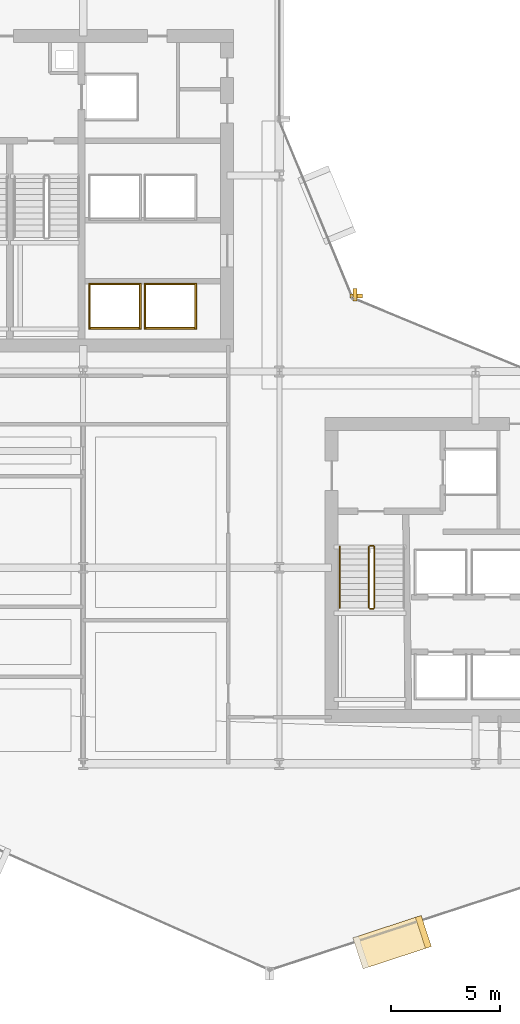
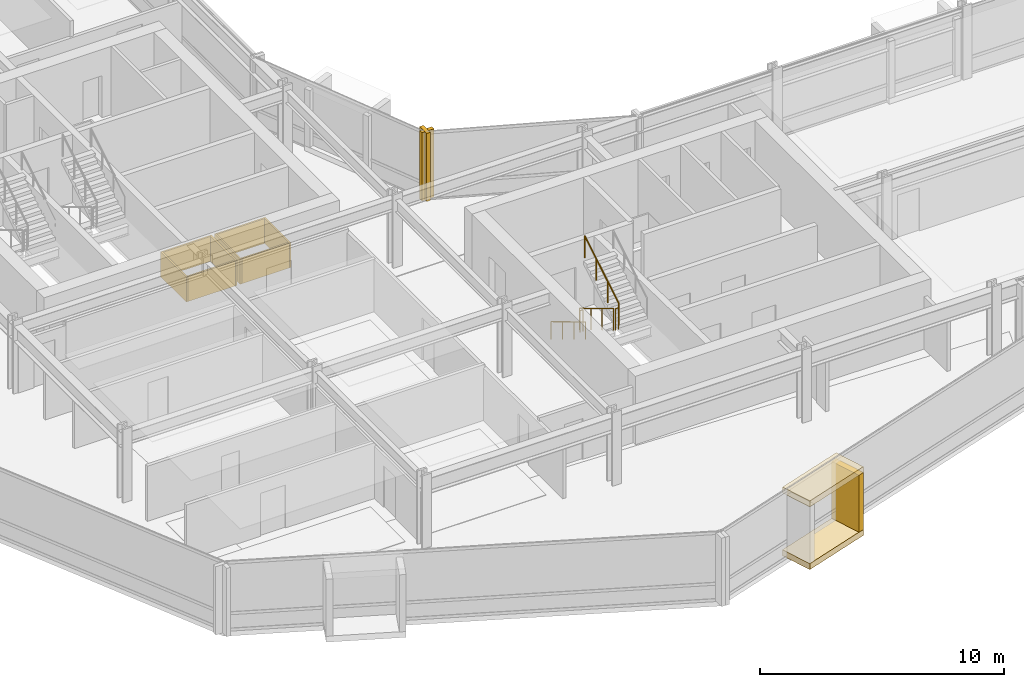
# One storey, part 31 of 34: 13 coverings, 5 railings.
"""IFC4 building model written with IfcOpenShell, lengths in metres."""

from ifc_helpers import new_model, si_unit, direction, frame, origin, origin_2d, place, context, subcontext, project, spatial, rectangle, circle, extrude, material, layer, layer_set, type_object, element, save


model = new_model("IFC4")

# Units and contexts
model_context = context("Model", 3, precision=1e-05, world=origin(), true_north=direction((0.0, 1.0)))
body_context = subcontext(model_context, "Body", "Model", "MODEL_VIEW")
ifc_project = project(units=[si_unit("LENGTHUNIT", "METRE"), si_unit("AREAUNIT", "SQUARE_METRE"), si_unit("VOLUMEUNIT", "CUBIC_METRE"), si_unit("PLANEANGLEUNIT", "RADIAN"), si_unit("MASSUNIT", "GRAM", prefix="KILO")], contexts=[model_context])

# Site, building, storey
site_placement = place(None, origin())
site = spatial("IfcSite", under=ifc_project, at=site_placement, CompositionType="ELEMENT")
building_placement = place(site_placement, origin())
building = spatial("IfcBuilding", under=site, at=building_placement, Name="Solvaryn Broadcast Tower", CompositionType="ELEMENT")
storey_placement = place(building_placement, frame((0.0, 0.0, 61.89990234375)))
storey = spatial("IfcBuildingStorey", under=building, at=storey_placement, Name="L14", CompositionType="ELEMENT", Elevation=61.89990234375)

# Coverings
ifc_material_1 = material(Name="Fire-Rated Gypsum Shaftwall Liner", Category="concrete")
ifc_layer_1 = layer(ifc_material_1, 0.080078125)
ifc_layer_set_1 = layer_set([ifc_layer_1], Name="CV-SHAFT-LINER")
covering_type_1 = type_object("IfcCoveringType", Name="CV-SHAFT-LINER", PredefinedType="CLADDING", material=ifc_layer_set_1)
for number, where, z_axis, x_axis, name in (
    (1, (19.449951171875, 31.014892578125, 0.0), (0.0, 0.0, 1.0), (1.0, 0.0, 0.0), "L14 PH1 Hoistway Shaft Liner North"),
    (2, (19.449951171875, 28.985107421875, 0.0), (0.0, 0.0, 1.0), (1.0, 0.0, 0.0), "L14 PH1 Hoistway Shaft Liner South"),
):
    element("IfcCovering", number, at=place(storey_placement, frame(where, z_axis=z_axis, x_axis=x_axis)), inside=storey, type_object=covering_type_1, Name=name, PredefinedType="CLADDING", context=body_context, shape_type="SweptSolid", body=[
        extrude(rectangle(XDim=2.409912109375, YDim=0.080078125, at=origin_2d()), origin(), (0.0, 0.0, 1.0), 1.25),
    ])
for number, where, z_axis, x_axis, name in (
    (3, (20.614990234375, 30.0, 0.0), (0.0, 0.0, 1.0), (1.0, 0.0, 0.0), "L14 PH1 Hoistway Shaft Liner East"),
    (4, (18.284912109375, 30.0, 0.0), (0.0, 0.0, 1.0), (1.0, 0.0, 0.0), "L14 PH1 Hoistway Shaft Liner West"),
):
    element("IfcCovering", number, at=place(storey_placement, frame(where, z_axis=z_axis, x_axis=x_axis)), inside=storey, type_object=covering_type_1, Name=name, PredefinedType="CLADDING", context=body_context, shape_type="SweptSolid", body=[
        extrude(rectangle(XDim=0.080078125, YDim=2.110107421875, at=origin_2d()), origin(), (0.0, 0.0, 1.0), 1.25),
    ])
for number, where, z_axis, x_axis, name in (
    (5, (22.0, 31.014892578125, 0.0), (0.0, 0.0, 1.0), (1.0, 0.0, 0.0), "L14 PH2 Hoistway Shaft Liner North"),
    (6, (22.0, 28.985107421875, 0.0), (0.0, 0.0, 1.0), (1.0, 0.0, 0.0), "L14 PH2 Hoistway Shaft Liner South"),
):
    element("IfcCovering", number, at=place(storey_placement, frame(where, z_axis=z_axis, x_axis=x_axis)), inside=storey, type_object=covering_type_1, Name=name, PredefinedType="CLADDING", context=body_context, shape_type="SweptSolid", body=[
        extrude(rectangle(XDim=2.409912109375, YDim=0.080078125, at=origin_2d()), origin(), (0.0, 0.0, 1.0), 1.25),
    ])
for number, where, z_axis, x_axis, name in (
    (7, (23.1650390625, 30.0, 0.0), (0.0, 0.0, 1.0), (1.0, 0.0, 0.0), "L14 PH2 Hoistway Shaft Liner East"),
    (8, (20.8349609375, 30.0, 0.0), (0.0, 0.0, 1.0), (1.0, 0.0, 0.0), "L14 PH2 Hoistway Shaft Liner West"),
):
    element("IfcCovering", number, at=place(storey_placement, frame(where, z_axis=z_axis, x_axis=x_axis)), inside=storey, type_object=covering_type_1, Name=name, PredefinedType="CLADDING", context=body_context, shape_type="SweptSolid", body=[
        extrude(rectangle(XDim=0.080078125, YDim=2.110107421875, at=origin_2d()), origin(), (0.0, 0.0, 1.0), 1.25),
    ])
ifc_material_2 = material(Name="Glazed Architectural Terracotta Rainscreen Cladding", Category="masonry")
ifc_layer_2 = layer(ifc_material_2, 0.280029296875)
ifc_layer_set_2 = layer_set([ifc_layer_2], Name="CV-TC-CLAD")
covering_type_2 = type_object("IfcCoveringType", Name="CV-TC-CLAD", PredefinedType="CLADDING", material=ifc_layer_set_2)
for number, where, z_axis, x_axis, name in (
    (9, (32.173095703125, 0.819091796875, 3.1298828125), (0.0, 0.0, 1.0), (0.950189870912, 0.311671636848, 0.0), "L14 Projecting Stone Window Box Hood 4"),
    (10, (32.173095703125, 0.819091796875, -0.009765625), (0.0, 0.0, 1.0), (0.950189870912, 0.311671636848, 0.0), "L14 Projecting Stone Window Box Sill 4"),
):
    element("IfcCovering", number, at=place(storey_placement, frame(where, z_axis=z_axis, x_axis=x_axis)), inside=storey, type_object=covering_type_2, Name=name, PredefinedType="CLADDING", context=body_context, shape_type="SweptSolid", body=[
        extrude(rectangle(XDim=3.300048828125, YDim=1.5, at=origin_2d()), origin(), (0.0, 0.0, 1.0), 0.300048828125),
    ])
covering_1_placement = place(storey_placement, frame((33.60791015625, 1.28955078125, 0.2802734375), z_axis=(0.0, 0.0, 1.0), x_axis=(0.950189870912, 0.311671636848, 0.0)))
element("IfcCovering", 11, at=covering_1_placement, inside=storey, type_object=covering_type_2, Name="L14 Projecting Stone Window Box Cheek 4-2", PredefinedType="CLADDING", context=body_context, shape_type="SweptSolid", body=[
    extrude(rectangle(XDim=0.280029296875, YDim=1.5, at=origin_2d()), origin(), (0.0, 0.0, 1.0), 2.860107421875),
])
ifc_material_3 = material(Name="Extruded Architectural Terracotta Fin", Category="masonry")
ifc_layer_3 = layer(ifc_material_3, 0.179931640625)
ifc_layer_set_3 = layer_set([ifc_layer_3], Name="CV-TC-FIN")
covering_type_3 = type_object("IfcCoveringType", Name="CV-TC-FIN", PredefinedType="USERDEFINED", material=ifc_layer_set_3)
covering_2_placement = place(storey_placement, frame((30.464599609375, 30.52294921875, 0.000244140625), z_axis=(0.0, 0.0, 1.0), x_axis=(1.0, 0.0, 0.0)))
element("IfcCovering", 12, at=covering_2_placement, inside=storey, type_object=covering_type_3, Name="L14 Terracotta Vertical Fin FIN-L14-CN1-M01", ObjectType="FIN", PredefinedType="USERDEFINED", context=body_context, shape_type="SweptSolid", body=[
    extrude(rectangle(XDim=0.179931640625, YDim=0.580078125, at=origin_2d()), origin(), (0.0, 0.0, 1.0), 3.419921875),
])
covering_3_placement = place(storey_placement, frame((30.52294921875, 30.464599609375, 0.000244140625), z_axis=(0.0, 0.0, 1.0), x_axis=(1.0, 0.0, 0.0)))
element("IfcCovering", 13, at=covering_3_placement, inside=storey, type_object=covering_type_3, Name="L14 Terracotta Vertical Fin FIN-L14-CN2-M00", ObjectType="FIN", PredefinedType="USERDEFINED", context=body_context, shape_type="SweptSolid", body=[
    extrude(rectangle(XDim=0.580078125, YDim=0.179931640625, at=origin_2d()), origin(), (0.0, 0.0, 1.0), 3.419921875),
])

# Railings
ifc_material_4 = material(Name="Painted Steel Stair Well Guard", Category="steel")
railing_type_1 = type_object("IfcRailingType", Name="RL-STAIR-GUARD", PredefinedType="BALUSTRADE", material=ifc_material_4)
railing_1_placement = place(storey_placement, frame((31.110107421875, 18.9599609375, 0.168212890625)))
element("IfcRailing", 14, at=railing_1_placement, inside=storey, type_object=railing_type_1, Name="L14 ST3 stair guard 1", PredefinedType="BALUSTRADE", context=body_context, shape_type="SweptSolid", body=[
    extrude(circle(Radius=0.02392578125, at=origin_2d()), frame((0.0, 0.0, 1.076171875), z_axis=(0.0, -0.857242210791, 0.514913383045), x_axis=(1.0, 0.0, 0.0)), (0.0, 0.0, 1.0), 3.266357421875),
    extrude(circle(Radius=0.02099609375, at=origin_2d()), origin(), (0.0, 0.0, 1.0), 1.052001953125),
    extrude(circle(Radius=0.02099609375, at=origin_2d()), frame((0.0, -0.933349609375, 0.560546875)), (0.0, 0.0, 1.0), 1.052001953125),
    extrude(circle(Radius=0.02099609375, at=origin_2d()), frame((0.0, -1.86669921875, 1.121337890625)), (0.0, 0.0, 1.0), 1.052001953125),
    extrude(circle(Radius=0.02099609375, at=origin_2d()), frame((0.0, -2.800048828125, 1.681884765625)), (0.0, 0.0, 1.0), 1.052001953125),
])
railing_2_placement = place(storey_placement, frame((31.159912109375, 16.110107421875, 1.85009765625)))
element("IfcRailing", 15, at=railing_2_placement, inside=storey, type_object=railing_type_1, Name="L14 ST3 stair guard 2", PredefinedType="BALUSTRADE", context=body_context, shape_type="SweptSolid", body=[
    extrude(circle(Radius=0.02392578125, at=origin_2d()), frame((0.0, 0.0, 1.076171875), z_axis=(1.0, 0.0, 0.0), x_axis=(0.0, 1.0, 0.0)), (0.0, 0.0, 1.0), 0.150146484375),
    extrude(circle(Radius=0.02099609375, at=origin_2d()), origin(), (0.0, 0.0, 1.0), 1.052001953125),
    extrude(circle(Radius=0.02099609375, at=origin_2d()), frame((0.150146484375, 0.0, 0.0)), (0.0, 0.0, 1.0), 1.052001953125),
])
railing_3_placement = place(storey_placement, frame((31.360107421875, 16.159912109375, 2.018310546875)))
element("IfcRailing", 16, at=railing_3_placement, inside=storey, type_object=railing_type_1, Name="L14 ST3 stair guard 3", PredefinedType="BALUSTRADE", context=body_context, shape_type="SweptSolid", body=[
    extrude(circle(Radius=0.02392578125, at=origin_2d()), frame((0.0, 0.0, 1.076171875), z_axis=(0.0, 0.857242210791, 0.514913383045), x_axis=(-1.0, 0.0, 0.0)), (0.0, 0.0, 1.0), 3.266357421875),
    extrude(circle(Radius=0.02099609375, at=origin_2d()), origin(), (0.0, 0.0, 1.0), 1.052001953125),
    extrude(circle(Radius=0.02099609375, at=origin_2d()), frame((0.0, 0.933349609375, 0.560546875)), (0.0, 0.0, 1.0), 1.052001953125),
    extrude(circle(Radius=0.02099609375, at=origin_2d()), frame((0.0, 1.86669921875, 1.121337890625)), (0.0, 0.0, 1.0), 1.052001953125),
    extrude(circle(Radius=0.02099609375, at=origin_2d()), frame((0.0, 2.800048828125, 1.681884765625)), (0.0, 0.0, 1.0), 1.052001953125),
])
railing_4_placement = place(storey_placement, frame((31.159912109375, 19.010009765625, 0.0)))
element("IfcRailing", 17, at=railing_4_placement, inside=storey, type_object=railing_type_1, Name="L14 ST3 stair guard 4", PredefinedType="BALUSTRADE", context=body_context, shape_type="SweptSolid", body=[
    extrude(circle(Radius=0.02392578125, at=origin_2d()), frame((0.0, 0.0, 1.076171875), z_axis=(1.0, 0.0, 0.0), x_axis=(0.0, 1.0, 0.0)), (0.0, 0.0, 1.0), 0.150146484375),
    extrude(circle(Radius=0.02099609375, at=origin_2d()), origin(), (0.0, 0.0, 1.0), 1.052001953125),
    extrude(circle(Radius=0.02099609375, at=origin_2d()), frame((0.150146484375, 0.0, 0.0)), (0.0, 0.0, 1.0), 1.052001953125),
])
ifc_material_5 = material(Name="Brushed Stainless Steel Tubular Handrail", Category="steel")
railing_type_2 = type_object("IfcRailingType", Name="RL-STAIR-HANDRAIL", PredefinedType="HANDRAIL", material=ifc_material_5)
railing_5_placement = place(storey_placement, frame((29.77001953125, 18.9599609375, 0.168212890625)))
element("IfcRailing", 18, at=railing_5_placement, inside=storey, type_object=railing_type_2, Name="L14 ST3 stair handrail 1", PredefinedType="HANDRAIL", context=body_context, shape_type="SweptSolid", body=[
    extrude(circle(Radius=0.02392578125, at=origin_2d()), frame((0.0, 0.0, 0.8759765625), z_axis=(0.0, -0.857242210791, 0.514913383045), x_axis=(1.0, 0.0, 0.0)), (0.0, 0.0, 1.0), 3.266357421875),
    extrude(circle(Radius=0.02099609375, at=origin_2d()), origin(), (0.0, 0.0, 1.0), 0.851806640625),
    extrude(circle(Radius=0.02099609375, at=origin_2d()), frame((0.0, -0.933349609375, 0.560546875)), (0.0, 0.0, 1.0), 0.851806640625),
    extrude(circle(Radius=0.02099609375, at=origin_2d()), frame((0.0, -1.86669921875, 1.121337890625)), (0.0, 0.0, 1.0), 0.851806640625),
    extrude(circle(Radius=0.02099609375, at=origin_2d()), frame((0.0, -2.800048828125, 1.681884765625)), (0.0, 0.0, 1.0), 0.851806640625),
])

save(model, "model.ifc")
